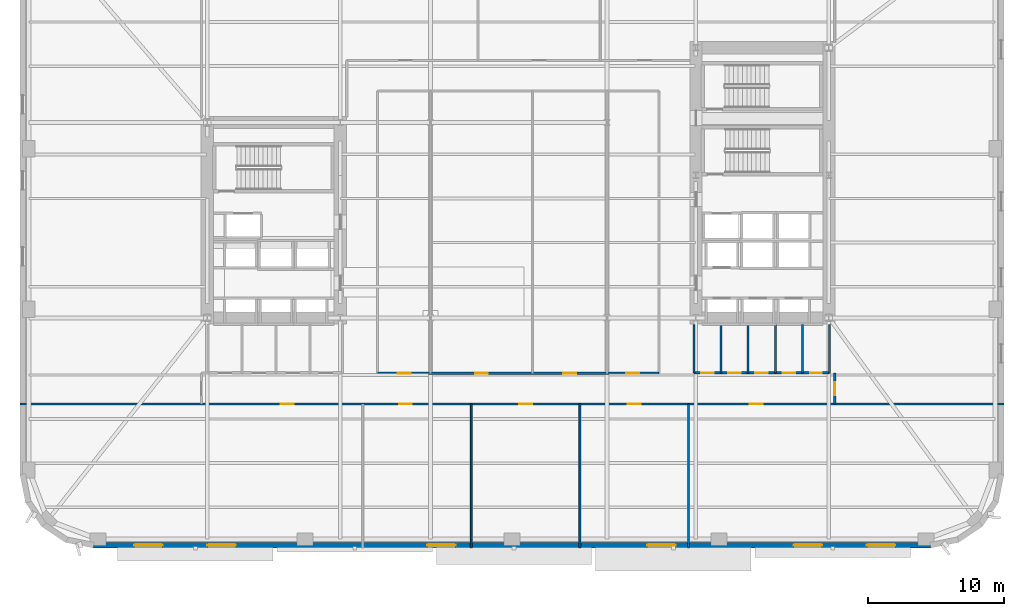
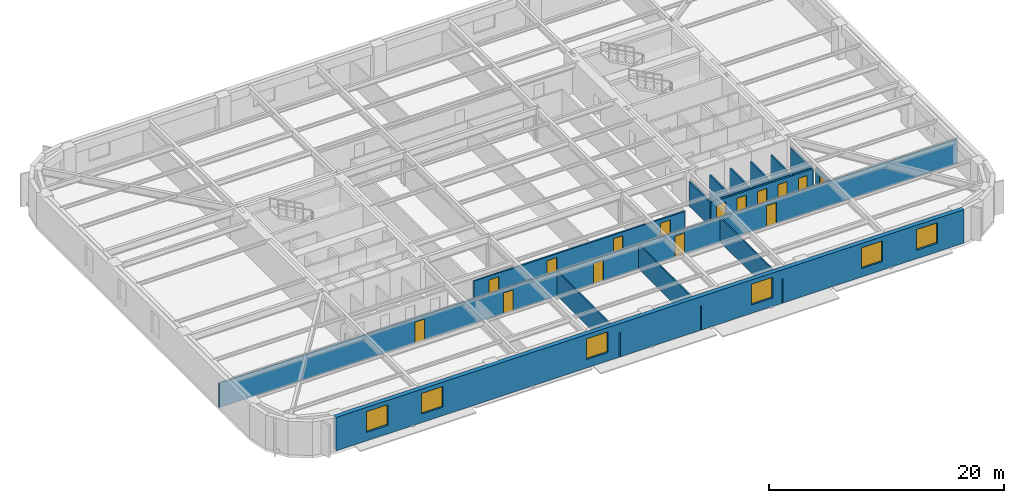
# One storey, part 5 of 15: 15 doors, 14 walls, 6 windows, 21 openings.
"""IFC4 building model written with IfcOpenShell, lengths in metres."""

from ifc_helpers import new_model, si_unit, direction, frame, frame_2d, origin, place, context, subcontext, project, spatial, rectangle, extrude, material, layer, layer_set, type_object, element, fill, save


model = new_model("IFC4")

# Units and contexts
model_context = context("Model", 3, precision=1e-05, world=origin(), true_north=direction((0.0, 1.0)))
body_context = subcontext(model_context, "Body", "Model", "MODEL_VIEW")
ifc_project = project(units=[si_unit("LENGTHUNIT", "METRE"), si_unit("AREAUNIT", "SQUARE_METRE"), si_unit("VOLUMEUNIT", "CUBIC_METRE"), si_unit("PLANEANGLEUNIT", "RADIAN"), si_unit("MASSUNIT", "GRAM", prefix="KILO")], contexts=[model_context])

# Site, building, storey
site_placement = place(None, origin())
site = spatial("IfcSite", under=ifc_project, at=site_placement, CompositionType="ELEMENT")
building_placement = place(site_placement, origin())
building = spatial("IfcBuilding", under=site, at=building_placement, Name="Kolvaren Arena Tower", CompositionType="ELEMENT")
storey_placement = place(building_placement, frame((0.0, 0.0, 49.5)))
storey = spatial("IfcBuildingStorey", under=building, at=storey_placement, Name="L09", CompositionType="ELEMENT", Elevation=49.5)

# Wall, openings, doors
ifc_material_1 = material(Name="Gypsum board acoustic assembly", Category="gypsum")
ifc_layer_1 = layer(ifc_material_1, 0.159912109375)
ifc_layer_set_1 = layer_set([ifc_layer_1], Name="Gypsum board acoustic assembly")
wall_type_1 = type_object("IfcWallType", Name="CORR-160", PredefinedType="PARTITIONING", material=ifc_layer_set_1)
wall_1_placement = place(storey_placement, frame((0.75, 13.10009765625, 0.0), z_axis=(0.0, 0.0, 1.0), x_axis=(1.0, 0.0, 0.0)))
wall_1 = element("IfcWall", 1, at=wall_1_placement, inside=storey, type_object=wall_type_1, Name="Interior Partition Wall (L09)", PredefinedType="PARTITIONING", context=body_context, shape_type="SweptSolid", body=[
    extrude(rectangle(XDim=72.5, YDim=0.159912109375, at=frame_2d((36.25, 0.0))), origin(), (0.0, 0.0, 1.0), 2.5400390625),
])
opening_1_placement = place(wall_1_placement, frame((19.22509765625, 0.0, 0.0)))
opening_1 = element("IfcOpeningElement", 2, at=opening_1_placement, cuts=wall_1, Name="Opening D05", PredefinedType="OPENING", context=body_context, shape_type="SweptSolid", body=[
    extrude(rectangle(XDim=0.949951171875, YDim=2.14990234375, at=frame_2d((0.47509765625, 1.074951171875))), frame((0.0, 0.08984375, 0.0), z_axis=(0.0, -1.0, 0.0), x_axis=(1.0, 0.0, 0.0)), (0.0, 0.0, 1.0), 0.179931640625),
])
opening_2_placement = place(wall_1_placement, frame((27.925048828125, 0.0, 0.0)))
opening_2 = element("IfcOpeningElement", 3, at=opening_2_placement, cuts=wall_1, Name="Opening D05", PredefinedType="OPENING", context=body_context, shape_type="SweptSolid", body=[
    extrude(rectangle(XDim=0.949951171875, YDim=2.14990234375, at=frame_2d((0.47509765625, 1.074951171875))), frame((0.0, 0.08984375, 0.0), z_axis=(0.0, -1.0, 0.0), x_axis=(1.0, 0.0, 0.0)), (0.0, 0.0, 1.0), 0.179931640625),
])
opening_3_placement = place(wall_1_placement, frame((36.77490234375, 0.0, 0.0)))
opening_3 = element("IfcOpeningElement", 4, at=opening_3_placement, cuts=wall_1, Name="Opening D05", PredefinedType="OPENING", context=body_context, shape_type="SweptSolid", body=[
    extrude(rectangle(XDim=0.949951171875, YDim=2.14990234375, at=frame_2d((0.47509765625, 1.074951171875))), frame((0.0, 0.08984375, 0.0), z_axis=(0.0, -1.0, 0.0), x_axis=(1.0, 0.0, 0.0)), (0.0, 0.0, 1.0), 0.179931640625),
])
opening_4_placement = place(wall_1_placement, frame((44.77490234375, 0.0, 0.0)))
opening_4 = element("IfcOpeningElement", 5, at=opening_4_placement, cuts=wall_1, Name="Opening D05", PredefinedType="OPENING", context=body_context, shape_type="SweptSolid", body=[
    extrude(rectangle(XDim=0.949951171875, YDim=2.14990234375, at=frame_2d((0.47509765625, 1.074951171875))), frame((0.0, 0.08984375, 0.0), z_axis=(0.0, -1.0, 0.0), x_axis=(1.0, 0.0, 0.0)), (0.0, 0.0, 1.0), 0.179931640625),
])
opening_5_placement = place(wall_1_placement, frame((53.77490234375, 0.0, 0.0)))
opening_5 = element("IfcOpeningElement", 6, at=opening_5_placement, cuts=wall_1, Name="Opening D05", PredefinedType="OPENING", context=body_context, shape_type="SweptSolid", body=[
    extrude(rectangle(XDim=0.949951171875, YDim=2.14990234375, at=frame_2d((0.47509765625, 1.074951171875))), frame((0.0, 0.08984375, 0.0), z_axis=(0.0, -1.0, 0.0), x_axis=(1.0, 0.0, 0.0)), (0.0, 0.0, 1.0), 0.179931640625),
])
ifc_material_2 = material(Name="Solid-core oak acoustic office door", Category="wood")
door_type_1 = type_object("IfcDoorType", Name="DOOR-OF-095", OperationType="NOTDEFINED", PredefinedType="DOOR", material=ifc_material_2)
door_1_placement = place(opening_1_placement, origin())
door_1 = element("IfcDoor", 7, at=door_1_placement, inside=storey, type_object=door_type_1, Name="Executive Office Door (L09)", OperationType="SINGLE_SWING_LEFT", OverallHeight=2.14990234375, OverallWidth=0.949951171875, PredefinedType="DOOR", context=body_context, shape_type="SweptSolid", body=[
    extrude(rectangle(XDim=0.949951171875, YDim=2.14990234375, at=frame_2d((0.47509765625, 1.074951171875))), frame((0.0, 0.02490234375, 0.0), z_axis=(0.0, -1.0, 0.0), x_axis=(1.0, 0.0, 0.0)), (0.0, 0.0, 1.0), 0.050048828125),
])
fill(opening_1, door_1)
door_2_placement = place(opening_2_placement, origin())
door_2 = element("IfcDoor", 8, at=door_2_placement, inside=storey, type_object=door_type_1, Name="Executive Office Door (L09)", OperationType="SINGLE_SWING_RIGHT", OverallHeight=2.14990234375, OverallWidth=0.949951171875, PredefinedType="DOOR", context=body_context, shape_type="SweptSolid", body=[
    extrude(rectangle(XDim=0.949951171875, YDim=2.14990234375, at=frame_2d((0.47509765625, 1.074951171875))), frame((0.0, 0.02490234375, 0.0), z_axis=(0.0, -1.0, 0.0), x_axis=(1.0, 0.0, 0.0)), (0.0, 0.0, 1.0), 0.050048828125),
])
fill(opening_2, door_2)
door_3_placement = place(opening_3_placement, origin())
door_3 = element("IfcDoor", 9, at=door_3_placement, inside=storey, type_object=door_type_1, Name="Meeting Room Door (L09)", OperationType="SINGLE_SWING_LEFT", OverallHeight=2.14990234375, OverallWidth=0.949951171875, PredefinedType="DOOR", context=body_context, shape_type="SweptSolid", body=[
    extrude(rectangle(XDim=0.949951171875, YDim=2.14990234375, at=frame_2d((0.47509765625, 1.074951171875))), frame((0.0, 0.02490234375, 0.0), z_axis=(0.0, -1.0, 0.0), x_axis=(1.0, 0.0, 0.0)), (0.0, 0.0, 1.0), 0.050048828125),
])
fill(opening_3, door_3)
door_4_placement = place(opening_4_placement, origin())
door_4 = element("IfcDoor", 10, at=door_4_placement, inside=storey, type_object=door_type_1, Name="Client Lounge Door (L09)", OperationType="SINGLE_SWING_RIGHT", OverallHeight=2.14990234375, OverallWidth=0.949951171875, PredefinedType="DOOR", context=body_context, shape_type="SweptSolid", body=[
    extrude(rectangle(XDim=0.949951171875, YDim=2.14990234375, at=frame_2d((0.47509765625, 1.074951171875))), frame((0.0, 0.02490234375, 0.0), z_axis=(0.0, -1.0, 0.0), x_axis=(1.0, 0.0, 0.0)), (0.0, 0.0, 1.0), 0.050048828125),
])
fill(opening_4, door_4)
door_5_placement = place(opening_5_placement, origin())
door_5 = element("IfcDoor", 11, at=door_5_placement, inside=storey, type_object=door_type_1, Name="Corporate Project Office Door (L09)", OperationType="SINGLE_SWING_LEFT", OverallHeight=2.14990234375, OverallWidth=0.949951171875, PredefinedType="DOOR", context=body_context, shape_type="SweptSolid", body=[
    extrude(rectangle(XDim=0.949951171875, YDim=2.14990234375, at=frame_2d((0.47509765625, 1.074951171875))), frame((0.0, 0.02490234375, 0.0), z_axis=(0.0, -1.0, 0.0), x_axis=(1.0, 0.0, 0.0)), (0.0, 0.0, 1.0), 0.050048828125),
])
fill(opening_5, door_5)

wall_2_placement = place(storey_placement, frame((27.080078125, 15.3798828125, 0.0), z_axis=(0.0, 0.0, 1.0), x_axis=(1.0, 0.0, 0.0)))
wall_2 = element("IfcWall", 12, at=wall_2_placement, inside=storey, type_object=wall_type_1, Name="Interior Partition Wall (L09)", PredefinedType="PARTITIONING", context=body_context, shape_type="SweptSolid", body=[
    extrude(rectangle(XDim=20.739990234375, YDim=0.159912109375, at=frame_2d((10.3701171875, 0.0))), origin(), (0.0, 0.0, 1.0), 2.5400390625),
])
opening_6_placement = place(wall_2_placement, frame((1.4951171875, 0.0, 0.0)))
opening_6 = element("IfcOpeningElement", 13, at=opening_6_placement, cuts=wall_2, Name="Opening D05", PredefinedType="OPENING", context=body_context, shape_type="SweptSolid", body=[
    extrude(rectangle(XDim=0.949951171875, YDim=2.14990234375, at=frame_2d((0.47509765625, 1.074951171875))), frame((0.0, 0.08984375, 0.0), z_axis=(0.0, -1.0, 0.0), x_axis=(1.0, 0.0, 0.0)), (0.0, 0.0, 1.0), 0.179931640625),
])
opening_7_placement = place(wall_2_placement, frame((7.195068359375, 0.0, 0.0)))
opening_7 = element("IfcOpeningElement", 14, at=opening_7_placement, cuts=wall_2, Name="Opening D05", PredefinedType="OPENING", context=body_context, shape_type="SweptSolid", body=[
    extrude(rectangle(XDim=0.949951171875, YDim=2.14990234375, at=frame_2d((0.47509765625, 1.074951171875))), frame((0.0, 0.08984375, 0.0), z_axis=(0.0, -1.0, 0.0), x_axis=(1.0, 0.0, 0.0)), (0.0, 0.0, 1.0), 0.179931640625),
])
opening_8_placement = place(wall_2_placement, frame((13.695068359375, 0.0, 0.0)))
opening_8 = element("IfcOpeningElement", 15, at=opening_8_placement, cuts=wall_2, Name="Opening D05", PredefinedType="OPENING", context=body_context, shape_type="SweptSolid", body=[
    extrude(rectangle(XDim=0.949951171875, YDim=2.14990234375, at=frame_2d((0.47509765625, 1.074951171875))), frame((0.0, 0.08984375, 0.0), z_axis=(0.0, -1.0, 0.0), x_axis=(1.0, 0.0, 0.0)), (0.0, 0.0, 1.0), 0.179931640625),
])
opening_9_placement = place(wall_2_placement, frame((18.344970703125, 0.0, 0.0)))
opening_9 = element("IfcOpeningElement", 16, at=opening_9_placement, cuts=wall_2, Name="Opening D05", PredefinedType="OPENING", context=body_context, shape_type="SweptSolid", body=[
    extrude(rectangle(XDim=0.949951171875, YDim=2.14990234375, at=frame_2d((0.47509765625, 1.074951171875))), frame((0.0, 0.08984375, 0.0), z_axis=(0.0, -1.0, 0.0), x_axis=(1.0, 0.0, 0.0)), (0.0, 0.0, 1.0), 0.179931640625),
])
door_6_placement = place(opening_6_placement, origin())
door_6 = element("IfcDoor", 17, at=door_6_placement, inside=storey, type_object=door_type_1, Name="Meeting Room Door (L09)", OperationType="SINGLE_SWING_LEFT", OverallHeight=2.14990234375, OverallWidth=0.949951171875, PredefinedType="DOOR", context=body_context, shape_type="SweptSolid", body=[
    extrude(rectangle(XDim=0.949951171875, YDim=2.14990234375, at=frame_2d((0.47509765625, 1.074951171875))), frame((0.0, 0.02490234375, 0.0), z_axis=(0.0, -1.0, 0.0), x_axis=(1.0, 0.0, 0.0)), (0.0, 0.0, 1.0), 0.050048828125),
])
fill(opening_6, door_6)
door_7_placement = place(opening_7_placement, origin())
door_7 = element("IfcDoor", 18, at=door_7_placement, inside=storey, type_object=door_type_1, Name="Open Plan Office Door (L09)", OperationType="SINGLE_SWING_RIGHT", OverallHeight=2.14990234375, OverallWidth=0.949951171875, PredefinedType="DOOR", context=body_context, shape_type="SweptSolid", body=[
    extrude(rectangle(XDim=0.949951171875, YDim=2.14990234375, at=frame_2d((0.47509765625, 1.074951171875))), frame((0.0, 0.02490234375, 0.0), z_axis=(0.0, -1.0, 0.0), x_axis=(1.0, 0.0, 0.0)), (0.0, 0.0, 1.0), 0.050048828125),
])
fill(opening_7, door_7)
door_8_placement = place(opening_8_placement, origin())
door_8 = element("IfcDoor", 19, at=door_8_placement, inside=storey, type_object=door_type_1, Name="Corporate Project Office Door (L09)", OperationType="SINGLE_SWING_LEFT", OverallHeight=2.14990234375, OverallWidth=0.949951171875, PredefinedType="DOOR", context=body_context, shape_type="SweptSolid", body=[
    extrude(rectangle(XDim=0.949951171875, YDim=2.14990234375, at=frame_2d((0.47509765625, 1.074951171875))), frame((0.0, 0.02490234375, 0.0), z_axis=(0.0, -1.0, 0.0), x_axis=(1.0, 0.0, 0.0)), (0.0, 0.0, 1.0), 0.050048828125),
])
fill(opening_8, door_8)
door_9_placement = place(opening_9_placement, origin())
door_9 = element("IfcDoor", 20, at=door_9_placement, inside=storey, type_object=door_type_1, Name="Breakout Pantry and Kitchen Door (L09)", OperationType="SINGLE_SWING_RIGHT", OverallHeight=2.14990234375, OverallWidth=0.949951171875, PredefinedType="DOOR", context=body_context, shape_type="SweptSolid", body=[
    extrude(rectangle(XDim=0.949951171875, YDim=2.14990234375, at=frame_2d((0.47509765625, 1.074951171875))), frame((0.0, 0.02490234375, 0.0), z_axis=(0.0, -1.0, 0.0), x_axis=(1.0, 0.0, 0.0)), (0.0, 0.0, 1.0), 0.050048828125),
])
fill(opening_9, door_9)

# Wall, opening, door
wall_3_placement = place(storey_placement, frame((60.780029296875, 13.10009765625, 0.0), z_axis=(0.0, 0.0, 1.0), x_axis=(0.0, 1.0, 0.0)))
wall_3 = element("IfcWall", 21, at=wall_3_placement, inside=storey, type_object=wall_type_1, Name="Interior Partition Wall (L09)", PredefinedType="PARTITIONING", context=body_context, shape_type="SweptSolid", body=[
    extrude(rectangle(XDim=2.2998046875, YDim=0.159912109375, at=frame_2d((1.14990234375, 0.0))), origin(), (0.0, 0.0, 1.0), 2.5400390625),
])
opening_10_placement = place(wall_3_placement, frame((0.64990234375, 0.0, 0.0)))
opening_10 = element("IfcOpeningElement", 22, at=opening_10_placement, cuts=wall_3, Name="Opening D05", PredefinedType="OPENING", context=body_context, shape_type="SweptSolid", body=[
    extrude(rectangle(XDim=0.949951171875, YDim=2.14990234375, at=frame_2d((0.47509765625, 1.074951171875))), frame((0.0, 0.08984375, 0.0), z_axis=(0.0, -1.0, 0.0), x_axis=(1.0, 0.0, 0.0)), (0.0, 0.0, 1.0), 0.179931640625),
])
door_10_placement = place(opening_10_placement, origin())
door_10 = element("IfcDoor", 23, at=door_10_placement, inside=storey, type_object=door_type_1, Name="East Wing Studio Door (L09)", OperationType="SINGLE_SWING_RIGHT", OverallHeight=2.14990234375, OverallWidth=0.949951171875, PredefinedType="DOOR", context=body_context, shape_type="SweptSolid", body=[
    extrude(rectangle(XDim=0.949951171875, YDim=2.14990234375, at=frame_2d((0.47509765625, 1.074951171875))), frame((0.0, 0.02490234375, 0.0), z_axis=(0.0, -1.0, 0.0), x_axis=(1.0, 0.0, 0.0)), (0.0, 0.0, 1.0), 0.050048828125),
])
fill(opening_10, door_10)

# Wall, openings, windows
ifc_material_3 = material(Name="Precast concrete C50/60", Category="concrete")
ifc_layer_2 = layer(ifc_material_3, 0.419921875)
ifc_layer_set_2 = layer_set([ifc_layer_2], Name="Precast concrete C50/60")
wall_type_2 = type_object("IfcWallType", Name="EXT-PIER1", PredefinedType="SOLIDWALL", material=ifc_layer_set_2)
wall_4_placement = place(storey_placement, frame((67.85009765625, 2.7099609375, 0.0), z_axis=(0.0, 0.0, 1.0), x_axis=(-1.0, 0.0, 0.0)))
wall_4 = element("IfcWall", 24, at=wall_4_placement, inside=storey, type_object=wall_type_2, Name="Exterior Precast Masonry-Frame Wall (L09)", PredefinedType="SOLIDWALL", context=body_context, shape_type="SweptSolid", body=[
    extrude(rectangle(XDim=61.7001953125, YDim=0.419921875, at=frame_2d((30.85009765625, 0.0))), origin(), (0.0, 0.0, 1.0), 3.47998046875),
])
opening_11_placement = place(wall_4_placement, frame((2.60009765625, 0.0, 0.8798828125)))
opening_11 = element("IfcOpeningElement", 25, at=opening_11_placement, cuts=wall_4, Name="Opening W01", PredefinedType="OPENING", context=body_context, shape_type="SweptSolid", body=[
    extrude(rectangle(XDim=2.10009765625, YDim=2.14990234375, at=frame_2d((1.050048828125, 1.074951171875))), frame((0.0, 0.219970703125, 0.0), z_axis=(0.0, -1.0, 0.0), x_axis=(1.0, 0.0, 0.0)), (0.0, 0.0, 1.0), 0.43994140625),
])
opening_12_placement = place(wall_4_placement, frame((8.0, 0.0, 0.8798828125)))
opening_12 = element("IfcOpeningElement", 26, at=opening_12_placement, cuts=wall_4, Name="Opening W01", PredefinedType="OPENING", context=body_context, shape_type="SweptSolid", body=[
    extrude(rectangle(XDim=2.10009765625, YDim=2.14990234375, at=frame_2d((1.050048828125, 1.074951171875))), frame((0.0, 0.219970703125, 0.0), z_axis=(0.0, -1.0, 0.0), x_axis=(1.0, 0.0, 0.0)), (0.0, 0.0, 1.0), 0.43994140625),
])
opening_13_placement = place(wall_4_placement, frame((18.800048828125, 0.0, 0.8798828125)))
opening_13 = element("IfcOpeningElement", 27, at=opening_13_placement, cuts=wall_4, Name="Opening W01", PredefinedType="OPENING", context=body_context, shape_type="SweptSolid", body=[
    extrude(rectangle(XDim=2.10009765625, YDim=2.14990234375, at=frame_2d((1.050048828125, 1.074951171875))), frame((0.0, 0.219970703125, 0.0), z_axis=(0.0, -1.0, 0.0), x_axis=(1.0, 0.0, 0.0)), (0.0, 0.0, 1.0), 0.43994140625),
])
opening_14_placement = place(wall_4_placement, frame((35.0, 0.0, 0.8798828125)))
opening_14 = element("IfcOpeningElement", 28, at=opening_14_placement, cuts=wall_4, Name="Opening W01", PredefinedType="OPENING", context=body_context, shape_type="SweptSolid", body=[
    extrude(rectangle(XDim=2.10009765625, YDim=2.14990234375, at=frame_2d((1.050048828125, 1.074951171875))), frame((0.0, 0.219970703125, 0.0), z_axis=(0.0, -1.0, 0.0), x_axis=(1.0, 0.0, 0.0)), (0.0, 0.0, 1.0), 0.43994140625),
])
opening_15_placement = place(wall_4_placement, frame((51.199951171875, 0.0, 0.8798828125)))
opening_15 = element("IfcOpeningElement", 29, at=opening_15_placement, cuts=wall_4, Name="Opening W01", PredefinedType="OPENING", context=body_context, shape_type="SweptSolid", body=[
    extrude(rectangle(XDim=2.10009765625, YDim=2.14990234375, at=frame_2d((1.050048828125, 1.074951171875))), frame((0.0, 0.219970703125, 0.0), z_axis=(0.0, -1.0, 0.0), x_axis=(1.0, 0.0, 0.0)), (0.0, 0.0, 1.0), 0.43994140625),
])
opening_16_placement = place(wall_4_placement, frame((56.60009765625, 0.0, 0.8798828125)))
opening_16 = element("IfcOpeningElement", 30, at=opening_16_placement, cuts=wall_4, Name="Opening W01", PredefinedType="OPENING", context=body_context, shape_type="SweptSolid", body=[
    extrude(rectangle(XDim=2.10009765625, YDim=2.14990234375, at=frame_2d((1.050048828125, 1.074951171875))), frame((0.0, 0.219970703125, 0.0), z_axis=(0.0, -1.0, 0.0), x_axis=(1.0, 0.0, 0.0)), (0.0, 0.0, 1.0), 0.43994140625),
])
ifc_material_4 = material(Name="Triple-glazed low-E aluminium window", Category="aluminium")
window_type = type_object("IfcWindowType", Name="WIN-OFF-A", PartitioningType="DOUBLE_PANEL_VERTICAL", PredefinedType="WINDOW", material=ifc_material_4)
window_1_placement = place(opening_11_placement, origin())
window_1 = element("IfcWindow", 31, at=window_1_placement, inside=storey, type_object=window_type, Name="Punched Precast-Pier Window (L09)", OverallHeight=2.14990234375, OverallWidth=2.10009765625, PartitioningType="DOUBLE_PANEL_VERTICAL", PredefinedType="WINDOW", context=body_context, shape_type="SweptSolid", body=[
    extrude(rectangle(XDim=2.10009765625, YDim=2.14990234375, at=frame_2d((1.050048828125, 1.074951171875))), frame((0.0, 0.030029296875, 0.0), z_axis=(0.0, -1.0, 0.0), x_axis=(1.0, 0.0, 0.0)), (0.0, 0.0, 1.0), 0.06005859375),
])
fill(opening_11, window_1)
window_2_placement = place(opening_12_placement, origin())
window_2 = element("IfcWindow", 32, at=window_2_placement, inside=storey, type_object=window_type, Name="Punched Precast-Pier Window (L09)", OverallHeight=2.14990234375, OverallWidth=2.10009765625, PartitioningType="DOUBLE_PANEL_VERTICAL", PredefinedType="WINDOW", context=body_context, shape_type="SweptSolid", body=[
    extrude(rectangle(XDim=2.10009765625, YDim=2.14990234375, at=frame_2d((1.050048828125, 1.074951171875))), frame((0.0, 0.030029296875, 0.0), z_axis=(0.0, -1.0, 0.0), x_axis=(1.0, 0.0, 0.0)), (0.0, 0.0, 1.0), 0.06005859375),
])
fill(opening_12, window_2)
window_3_placement = place(opening_13_placement, origin())
window_3 = element("IfcWindow", 33, at=window_3_placement, inside=storey, type_object=window_type, Name="Punched Precast-Pier Window (L09)", OverallHeight=2.14990234375, OverallWidth=2.10009765625, PartitioningType="DOUBLE_PANEL_VERTICAL", PredefinedType="WINDOW", context=body_context, shape_type="SweptSolid", body=[
    extrude(rectangle(XDim=2.10009765625, YDim=2.14990234375, at=frame_2d((1.050048828125, 1.074951171875))), frame((0.0, 0.030029296875, 0.0), z_axis=(0.0, -1.0, 0.0), x_axis=(1.0, 0.0, 0.0)), (0.0, 0.0, 1.0), 0.06005859375),
])
fill(opening_13, window_3)
window_4_placement = place(opening_14_placement, origin())
window_4 = element("IfcWindow", 34, at=window_4_placement, inside=storey, type_object=window_type, Name="Punched Precast-Pier Window (L09)", OverallHeight=2.14990234375, OverallWidth=2.10009765625, PartitioningType="DOUBLE_PANEL_VERTICAL", PredefinedType="WINDOW", context=body_context, shape_type="SweptSolid", body=[
    extrude(rectangle(XDim=2.10009765625, YDim=2.14990234375, at=frame_2d((1.050048828125, 1.074951171875))), frame((0.0, 0.030029296875, 0.0), z_axis=(0.0, -1.0, 0.0), x_axis=(1.0, 0.0, 0.0)), (0.0, 0.0, 1.0), 0.06005859375),
])
fill(opening_14, window_4)
window_5_placement = place(opening_15_placement, origin())
window_5 = element("IfcWindow", 35, at=window_5_placement, inside=storey, type_object=window_type, Name="Punched Precast-Pier Window (L09)", OverallHeight=2.14990234375, OverallWidth=2.10009765625, PartitioningType="DOUBLE_PANEL_VERTICAL", PredefinedType="WINDOW", context=body_context, shape_type="SweptSolid", body=[
    extrude(rectangle(XDim=2.10009765625, YDim=2.14990234375, at=frame_2d((1.050048828125, 1.074951171875))), frame((0.0, 0.030029296875, 0.0), z_axis=(0.0, -1.0, 0.0), x_axis=(1.0, 0.0, 0.0)), (0.0, 0.0, 1.0), 0.06005859375),
])
fill(opening_15, window_5)
window_6_placement = place(opening_16_placement, origin())
window_6 = element("IfcWindow", 36, at=window_6_placement, inside=storey, type_object=window_type, Name="Punched Precast-Pier Window (L09)", OverallHeight=2.14990234375, OverallWidth=2.10009765625, PartitioningType="DOUBLE_PANEL_VERTICAL", PredefinedType="WINDOW", context=body_context, shape_type="SweptSolid", body=[
    extrude(rectangle(XDim=2.10009765625, YDim=2.14990234375, at=frame_2d((1.050048828125, 1.074951171875))), frame((0.0, 0.030029296875, 0.0), z_axis=(0.0, -1.0, 0.0), x_axis=(1.0, 0.0, 0.0)), (0.0, 0.0, 1.0), 0.06005859375),
])
fill(opening_16, window_6)

# Walls
ifc_material_5 = material(Name="Gypsum board partition assembly", Category="gypsum")
ifc_layer_3 = layer(ifc_material_5, 0.135009765625)
ifc_layer_set_3 = layer_set([ifc_layer_3], Name="Gypsum board partition assembly")
wall_type_3 = type_object("IfcWallType", Name="PART-135", PredefinedType="PARTITIONING", material=ifc_layer_set_3)
for number, where, z_axis, x_axis, name in (
    (37, (34.0, 2.5, 0.0), (0.0, 0.0, 1.0), (0.0, 1.0, 0.0), "Interior Partition Wall (L09)"),
    (38, (42.0, 2.5, 0.0), (0.0, 0.0, 1.0), (0.0, 1.0, 0.0), "Interior Partition Wall (L09)"),
    (39, (50.0, 2.5, 0.0), (0.0, 0.0, 1.0), (0.0, 1.0, 0.0), "Interior Partition Wall (L09)"),
):
    element("IfcWall", number, at=place(storey_placement, frame(where, z_axis=z_axis, x_axis=x_axis)), inside=storey, type_object=wall_type_3, Name=name, PredefinedType="PARTITIONING", context=body_context, shape_type="SweptSolid", body=[
        extrude(rectangle(XDim=10.60009765625, YDim=0.135009765625, at=frame_2d((5.300048828125, 0.0))), origin(), (0.0, 0.0, 1.0), 2.5400390625),
    ])

# Wall, openings, doors
ifc_material_6 = material(Name="Concrete 45 MPa", Category="concrete")
ifc_layer_4 = layer(ifc_material_6, 0.25)
ifc_layer_set_4 = layer_set([ifc_layer_4], Name="Concrete 45 MPa")
wall_type_4 = type_object("IfcWallType", Name="SHAFT-250", PredefinedType="SOLIDWALL", material=ifc_layer_set_4)
wall_5_placement = place(storey_placement, frame((50.39990234375, 15.39990234375, 0.0), z_axis=(0.0, 0.0, 1.0), x_axis=(1.0, 0.0, 0.0)))
wall_5 = element("IfcWall", 40, at=wall_5_placement, inside=storey, type_object=wall_type_4, Name="Interior Partition Wall (L09)", PredefinedType="SOLIDWALL", context=body_context, shape_type="SweptSolid", body=[
    extrude(rectangle(XDim=10.0, YDim=0.179931640625, at=frame_2d((5.0, 0.0))), origin(), (0.0, 0.0, 1.0), 2.5400390625),
])
opening_17_placement = place(wall_5_placement, frame((0.5400390625, 0.0, 0.0)))
opening_17 = element("IfcOpeningElement", 41, at=opening_17_placement, cuts=wall_5, Name="Opening D07", PredefinedType="OPENING", context=body_context, shape_type="SweptSolid", body=[
    extrude(rectangle(XDim=0.919921875, YDim=2.10009765625, at=frame_2d((0.4599609375, 1.050048828125))), frame((0.0, 0.099853515625, 0.0), z_axis=(0.0, -1.0, 0.0), x_axis=(1.0, 0.0, 0.0)), (0.0, 0.0, 1.0), 0.199951171875),
])
opening_18_placement = place(wall_5_placement, frame((2.5400390625, 0.0, 0.0)))
opening_18 = element("IfcOpeningElement", 42, at=opening_18_placement, cuts=wall_5, Name="Opening D07", PredefinedType="OPENING", context=body_context, shape_type="SweptSolid", body=[
    extrude(rectangle(XDim=0.919921875, YDim=2.10009765625, at=frame_2d((0.4599609375, 1.050048828125))), frame((0.0, 0.099853515625, 0.0), z_axis=(0.0, -1.0, 0.0), x_axis=(1.0, 0.0, 0.0)), (0.0, 0.0, 1.0), 0.199951171875),
])
opening_19_placement = place(wall_5_placement, frame((4.5400390625, 0.0, 0.0)))
opening_19 = element("IfcOpeningElement", 43, at=opening_19_placement, cuts=wall_5, Name="Opening D07", PredefinedType="OPENING", context=body_context, shape_type="SweptSolid", body=[
    extrude(rectangle(XDim=0.919921875, YDim=2.10009765625, at=frame_2d((0.4599609375, 1.050048828125))), frame((0.0, 0.099853515625, 0.0), z_axis=(0.0, -1.0, 0.0), x_axis=(1.0, 0.0, 0.0)), (0.0, 0.0, 1.0), 0.199951171875),
])
opening_20_placement = place(wall_5_placement, frame((6.5400390625, 0.0, 0.0)))
opening_20 = element("IfcOpeningElement", 44, at=opening_20_placement, cuts=wall_5, Name="Opening D07", PredefinedType="OPENING", context=body_context, shape_type="SweptSolid", body=[
    extrude(rectangle(XDim=0.919921875, YDim=2.10009765625, at=frame_2d((0.4599609375, 1.050048828125))), frame((0.0, 0.099853515625, 0.0), z_axis=(0.0, -1.0, 0.0), x_axis=(1.0, 0.0, 0.0)), (0.0, 0.0, 1.0), 0.199951171875),
])
opening_21_placement = place(wall_5_placement, frame((8.570068359375, 0.0, 0.0)))
opening_21 = element("IfcOpeningElement", 45, at=opening_21_placement, cuts=wall_5, Name="Opening D09", PredefinedType="OPENING", context=body_context, shape_type="SweptSolid", body=[
    extrude(rectangle(XDim=0.860107421875, YDim=2.050048828125, at=frame_2d((0.43017578125, 1.02490234375))), frame((0.0, 0.099853515625, 0.0), z_axis=(0.0, -1.0, 0.0), x_axis=(1.0, 0.0, 0.0)), (0.0, 0.0, 1.0), 0.199951171875),
])
ifc_material_7 = material(Name="Fire-rated steel riser access door", Category="steel")
door_type_2 = type_object("IfcDoorType", Name="DOOR-RS-086", OperationType="NOTDEFINED", PredefinedType="DOOR", material=ifc_material_7)
door_11_placement = place(opening_21_placement, origin())
door_11 = element("IfcDoor", 46, at=door_11_placement, inside=storey, type_object=door_type_2, Name="Telecom Riser Closet Door (L09)", OperationType="SINGLE_SWING_LEFT", OverallHeight=2.050048828125, OverallWidth=0.860107421875, PredefinedType="DOOR", context=body_context, shape_type="SweptSolid", body=[
    extrude(rectangle(XDim=0.860107421875, YDim=2.050048828125, at=frame_2d((0.43017578125, 1.02490234375))), frame((0.0, 0.02490234375, 0.0), z_axis=(0.0, -1.0, 0.0), x_axis=(1.0, 0.0, 0.0)), (0.0, 0.0, 1.0), 0.050048828125),
])
fill(opening_21, door_11)
ifc_material_8 = material(Name="Laminate universal washroom door", Category="wood")
door_type_3 = type_object("IfcDoorType", Name="DOOR-WC-092", OperationType="NOTDEFINED", PredefinedType="DOOR", material=ifc_material_8)
door_12_placement = place(opening_17_placement, origin())
door_12 = element("IfcDoor", 47, at=door_12_placement, inside=storey, type_object=door_type_3, Name="First Aid Store Door (L09)", OperationType="SINGLE_SWING_LEFT", OverallHeight=2.10009765625, OverallWidth=0.919921875, PredefinedType="DOOR", context=body_context, shape_type="SweptSolid", body=[
    extrude(rectangle(XDim=0.919921875, YDim=2.10009765625, at=frame_2d((0.4599609375, 1.050048828125))), frame((0.0, 0.02490234375, 0.0), z_axis=(0.0, -1.0, 0.0), x_axis=(1.0, 0.0, 0.0)), (0.0, 0.0, 1.0), 0.050048828125),
])
fill(opening_17, door_12)
door_13_placement = place(opening_18_placement, origin())
door_13 = element("IfcDoor", 48, at=door_13_placement, inside=storey, type_object=door_type_3, Name="Cleaner and Janitor Store Door (L09)", OperationType="SINGLE_SWING_RIGHT", OverallHeight=2.10009765625, OverallWidth=0.919921875, PredefinedType="DOOR", context=body_context, shape_type="SweptSolid", body=[
    extrude(rectangle(XDim=0.919921875, YDim=2.10009765625, at=frame_2d((0.4599609375, 1.050048828125))), frame((0.0, 0.02490234375, 0.0), z_axis=(0.0, -1.0, 0.0), x_axis=(1.0, 0.0, 0.0)), (0.0, 0.0, 1.0), 0.050048828125),
])
fill(opening_18, door_13)
door_14_placement = place(opening_19_placement, origin())
door_14 = element("IfcDoor", 49, at=door_14_placement, inside=storey, type_object=door_type_3, Name="Staff Pantry Door (L09)", OperationType="SINGLE_SWING_LEFT", OverallHeight=2.10009765625, OverallWidth=0.919921875, PredefinedType="DOOR", context=body_context, shape_type="SweptSolid", body=[
    extrude(rectangle(XDim=0.919921875, YDim=2.10009765625, at=frame_2d((0.4599609375, 1.050048828125))), frame((0.0, 0.02490234375, 0.0), z_axis=(0.0, -1.0, 0.0), x_axis=(1.0, 0.0, 0.0)), (0.0, 0.0, 1.0), 0.050048828125),
])
fill(opening_19, door_14)
door_15_placement = place(opening_20_placement, origin())
door_15 = element("IfcDoor", 50, at=door_15_placement, inside=storey, type_object=door_type_3, Name="Gender-Neutral Washroom Door (L09)", OperationType="SINGLE_SWING_RIGHT", OverallHeight=2.10009765625, OverallWidth=0.919921875, PredefinedType="DOOR", context=body_context, shape_type="SweptSolid", body=[
    extrude(rectangle(XDim=0.919921875, YDim=2.10009765625, at=frame_2d((0.4599609375, 1.050048828125))), frame((0.0, 0.02490234375, 0.0), z_axis=(0.0, -1.0, 0.0), x_axis=(1.0, 0.0, 0.0)), (0.0, 0.0, 1.0), 0.050048828125),
])
fill(opening_20, door_15)

# Walls
ifc_material_9 = material(Name="Moisture-resistant gypsum assembly", Category="gypsum")
ifc_layer_5 = layer(ifc_material_9, 0.14990234375)
ifc_layer_set_5 = layer_set([ifc_layer_5], Name="Moisture-resistant gypsum assembly")
wall_type_5 = type_object("IfcWallType", Name="WETW-150", PredefinedType="PARTITIONING", material=ifc_layer_set_5)
for number, where, z_axis, x_axis, name in (
    (51, (52.39990234375, 15.39990234375, 0.0), (0.0, 0.0, 1.0), (0.0, 1.0, 0.0), "Interior Partition Wall (L09)"),
    (52, (54.39990234375, 15.39990234375, 0.0), (0.0, 0.0, 1.0), (0.0, 1.0, 0.0), "Interior Partition Wall (L09)"),
    (53, (56.39990234375, 15.39990234375, 0.0), (0.0, 0.0, 1.0), (0.0, 1.0, 0.0), "Interior Partition Wall (L09)"),
    (54, (58.39990234375, 15.39990234375, 0.0), (0.0, 0.0, 1.0), (0.0, 1.0, 0.0), "Interior Partition Wall (L09)"),
    (55, (50.39990234375, 15.39990234375, 0.0), (0.0, 0.0, 1.0), (0.0, 1.0, 0.0), "Interior Partition Wall (L09)"),
    (56, (60.39990234375, 15.39990234375, 0.0), (0.0, 0.0, 1.0), (0.0, 1.0, 0.0), "Interior Partition Wall (L09)"),
):
    element("IfcWall", number, at=place(storey_placement, frame(where, z_axis=z_axis, x_axis=x_axis)), inside=storey, type_object=wall_type_5, Name=name, PredefinedType="PARTITIONING", context=body_context, shape_type="SweptSolid", body=[
        extrude(rectangle(XDim=3.580078125, YDim=0.14990234375, at=frame_2d((1.7900390625, 0.0))), origin(), (0.0, 0.0, 1.0), 2.5400390625),
    ])

save(model, "model.ifc")
